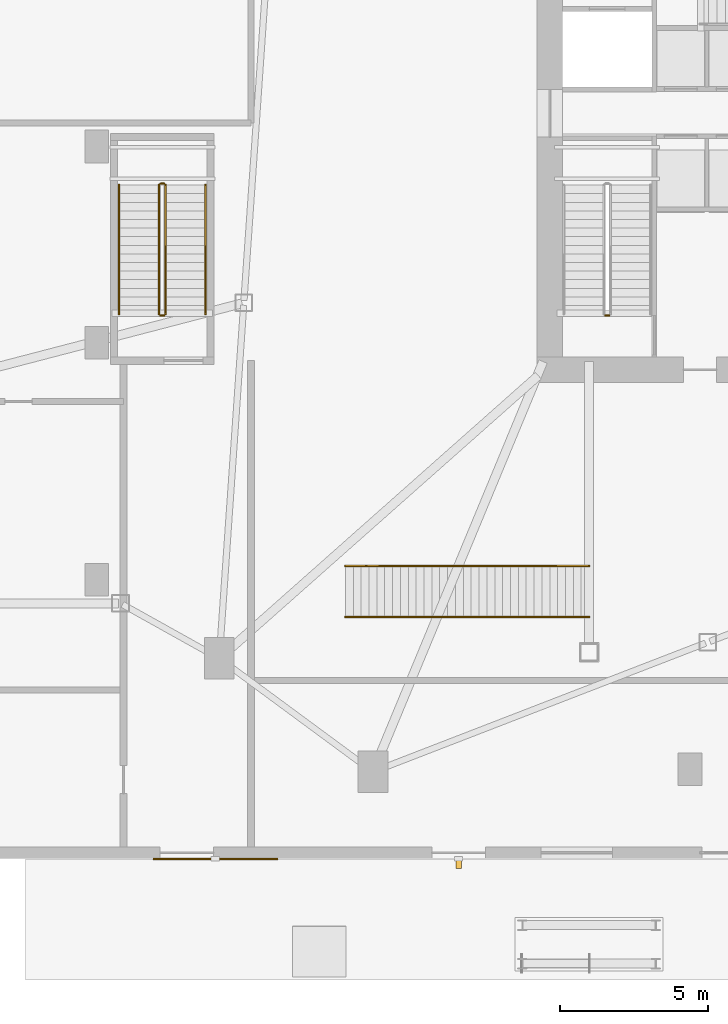
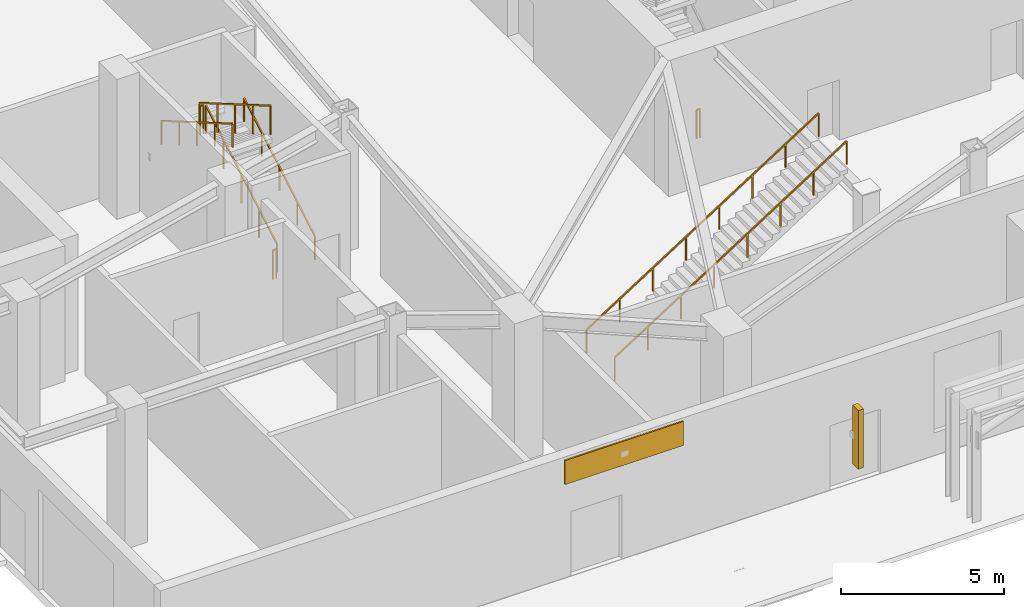
# One storey, part 19 of 22: 9 railings, 1 covering, 1 shading device.
"""IFC4 building model written with IfcOpenShell, lengths in metres."""

from ifc_helpers import new_model, si_unit, direction, frame, origin, origin_2d, place, context, subcontext, project, spatial, rectangle, extrude, source, transform, mapped, material, layer, layer_set, type_object, element, save


model = new_model("IFC4")

# Units and contexts
model_context = context("Model", 3, precision=1e-05, world=origin(), true_north=direction((0.0, 1.0)))
body_context = subcontext(model_context, "Body", "Model", "MODEL_VIEW")
ifc_project = project(units=[si_unit("LENGTHUNIT", "METRE"), si_unit("AREAUNIT", "SQUARE_METRE"), si_unit("VOLUMEUNIT", "CUBIC_METRE"), si_unit("PLANEANGLEUNIT", "RADIAN"), si_unit("MASSUNIT", "GRAM", prefix="KILO")], contexts=[model_context])

# Site, building, storey
site_placement = place(None, origin())
site = spatial("IfcSite", under=ifc_project, at=site_placement, CompositionType="ELEMENT")
building_placement = place(site_placement, origin())
building = spatial("IfcBuilding", under=site, at=building_placement, Name="Olszyna Solenne Hotel", CompositionType="ELEMENT")
storey_placement = place(building_placement, origin())
storey = spatial("IfcBuildingStorey", under=building, at=storey_placement, Name="L00", CompositionType="ELEMENT", Elevation=0.0)

# Railings
ifc_material_1 = material(Name="Anodised bronze aluminium", Category="aluminium")
railing_type_1 = type_object("IfcRailingType", Name="GR-110", PredefinedType="BALUSTRADE", material=ifc_material_1)
railing_1_placement = place(storey_placement, frame((31.669921875, 20.89990234375, 0.0)))
element("IfcRailing", 1, at=railing_1_placement, inside=storey, type_object=railing_type_1, Name="L00 ST1 stair guard 4", PredefinedType="BALUSTRADE", context=body_context, shape_type="SweptSolid", body=[
    extrude(rectangle(XDim=0.048095703125, YDim=0.048095703125, at=origin_2d()), frame((0.0, 0.0, 1.076171875), z_axis=(-1.0, 0.0, 0.0), x_axis=(0.0, -1.0, 0.0)), (0.0, 0.0, 1.0), 0.119873046875),
    extrude(rectangle(XDim=0.0419921875, YDim=0.0419921875, at=origin_2d()), origin(), (0.0, 0.0, 1.0), 1.052001953125),
    extrude(rectangle(XDim=0.0419921875, YDim=0.0419921875, at=origin_2d()), frame((-0.119873046875, 0.0, 0.0)), (0.0, 0.0, 1.0), 1.052001953125),
])
railing_2_placement = place(storey_placement, frame((16.719970703125, 20.949951171875, 0.168701171875)))
element("IfcRailing", 2, at=railing_2_placement, inside=storey, type_object=railing_type_1, Name="L00 ST4 stair guard 1", PredefinedType="BALUSTRADE", context=body_context, shape_type="SweptSolid", body=[
    extrude(rectangle(XDim=0.048095703125, YDim=0.048095703125, at=origin_2d()), frame((0.0, 0.0, 1.076171875), z_axis=(0.0, 0.864323800911, 0.50293574856), x_axis=(-1.0, 0.0, 0.0)), (0.0, 0.0, 1.0), 5.032958984375),
    extrude(rectangle(XDim=0.0419921875, YDim=0.0419921875, at=origin_2d()), origin(), (0.0, 0.0, 1.0), 1.052001953125),
    extrude(rectangle(XDim=0.0419921875, YDim=0.0419921875, at=origin_2d()), frame((0.0, 1.08740234375, 0.6328125)), (0.0, 0.0, 1.0), 1.052001953125),
    extrude(rectangle(XDim=0.0419921875, YDim=0.0419921875, at=origin_2d()), frame((0.0, 2.175048828125, 1.265625)), (0.0, 0.0, 1.0), 1.052001953125),
    extrude(rectangle(XDim=0.0419921875, YDim=0.0419921875, at=origin_2d()), frame((0.0, 3.2626953125, 1.8984375)), (0.0, 0.0, 1.0), 1.052001953125),
    extrude(rectangle(XDim=0.0419921875, YDim=0.0419921875, at=origin_2d()), frame((0.0, 4.35009765625, 2.53125)), (0.0, 0.0, 1.0), 1.052001953125),
])
railing_3_placement = place(storey_placement, frame((16.669921875, 25.35009765625, 2.699951171875)))
element("IfcRailing", 3, at=railing_3_placement, inside=storey, type_object=railing_type_1, Name="L00 ST4 stair guard 2", PredefinedType="BALUSTRADE", context=body_context, shape_type="SweptSolid", body=[
    extrude(rectangle(XDim=0.048095703125, YDim=0.048095703125, at=origin_2d()), frame((0.0, 0.0, 1.076171875), z_axis=(-1.0, 0.0, 0.0), x_axis=(0.0, -1.0, 0.0)), (0.0, 0.0, 1.0), 0.119873046875),
    extrude(rectangle(XDim=0.0419921875, YDim=0.0419921875, at=origin_2d()), origin(), (0.0, 0.0, 1.0), 1.052001953125),
    extrude(rectangle(XDim=0.0419921875, YDim=0.0419921875, at=origin_2d()), frame((-0.119873046875, 0.0, 0.0)), (0.0, 0.0, 1.0), 1.052001953125),
])
railing_4_placement = place(storey_placement, frame((16.5, 25.300048828125, 2.86865234375)))
element("IfcRailing", 4, at=railing_4_placement, inside=storey, type_object=railing_type_1, Name="L00 ST4 stair guard 3", PredefinedType="BALUSTRADE", context=body_context, shape_type="SweptSolid", body=[
    extrude(rectangle(XDim=0.048095703125, YDim=0.048095703125, at=origin_2d()), frame((0.0, 0.0, 1.076171875), z_axis=(0.0, -0.864323800911, 0.50293574856), x_axis=(1.0, 0.0, 0.0)), (0.0, 0.0, 1.0), 5.032958984375),
    extrude(rectangle(XDim=0.0419921875, YDim=0.0419921875, at=origin_2d()), origin(), (0.0, 0.0, 1.0), 1.052001953125),
    extrude(rectangle(XDim=0.0419921875, YDim=0.0419921875, at=origin_2d()), frame((0.0, -1.08740234375, 0.6328125)), (0.0, 0.0, 1.0), 1.052001953125),
    extrude(rectangle(XDim=0.0419921875, YDim=0.0419921875, at=origin_2d()), frame((0.0, -2.175048828125, 1.265625)), (0.0, 0.0, 1.0), 1.052001953125),
    extrude(rectangle(XDim=0.0419921875, YDim=0.0419921875, at=origin_2d()), frame((0.0, -3.2626953125, 1.8984375)), (0.0, 0.0, 1.0), 1.052001953125),
    extrude(rectangle(XDim=0.0419921875, YDim=0.0419921875, at=origin_2d()), frame((0.0, -4.35009765625, 2.53125)), (0.0, 0.0, 1.0), 1.052001953125),
])
railing_5_placement = place(storey_placement, frame((16.669921875, 20.89990234375, 0.0)))
element("IfcRailing", 5, at=railing_5_placement, inside=storey, type_object=railing_type_1, Name="L00 ST4 stair guard 4", PredefinedType="BALUSTRADE", context=body_context, shape_type="SweptSolid", body=[
    extrude(rectangle(XDim=0.048095703125, YDim=0.048095703125, at=origin_2d()), frame((0.0, 0.0, 1.076171875), z_axis=(-1.0, 0.0, 0.0), x_axis=(0.0, -1.0, 0.0)), (0.0, 0.0, 1.0), 0.119873046875),
    extrude(rectangle(XDim=0.0419921875, YDim=0.0419921875, at=origin_2d()), origin(), (0.0, 0.0, 1.0), 1.052001953125),
    extrude(rectangle(XDim=0.0419921875, YDim=0.0419921875, at=origin_2d()), frame((-0.119873046875, 0.0, 0.0)), (0.0, 0.0, 1.0), 1.052001953125),
])
ifc_material_2 = material(Name="Steel S355J2", Category="steel")
railing_type_2 = type_object("IfcRailingType", Name="HR-090", PredefinedType="HANDRAIL", material=ifc_material_2)
railing_6_placement = place(storey_placement, frame((18.070068359375, 20.949951171875, 0.168701171875)))
element("IfcRailing", 6, at=railing_6_placement, inside=storey, type_object=railing_type_2, Name="L00 ST4 stair handrail 1", PredefinedType="HANDRAIL", context=body_context, shape_type="SweptSolid", body=[
    extrude(rectangle(XDim=0.048095703125, YDim=0.048095703125, at=origin_2d()), frame((0.0, 0.0, 0.8759765625), z_axis=(0.0, 0.864323800911, 0.50293574856), x_axis=(-1.0, 0.0, 0.0)), (0.0, 0.0, 1.0), 5.032958984375),
    extrude(rectangle(XDim=0.0419921875, YDim=0.0419921875, at=origin_2d()), origin(), (0.0, 0.0, 1.0), 0.851806640625),
    extrude(rectangle(XDim=0.0419921875, YDim=0.0419921875, at=origin_2d()), frame((0.0, 1.08740234375, 0.6328125)), (0.0, 0.0, 1.0), 0.851806640625),
    extrude(rectangle(XDim=0.0419921875, YDim=0.0419921875, at=origin_2d()), frame((0.0, 2.175048828125, 1.265625)), (0.0, 0.0, 1.0), 0.851806640625),
    extrude(rectangle(XDim=0.0419921875, YDim=0.0419921875, at=origin_2d()), frame((0.0, 3.2626953125, 1.8984375)), (0.0, 0.0, 1.0), 0.851806640625),
    extrude(rectangle(XDim=0.0419921875, YDim=0.0419921875, at=origin_2d()), frame((0.0, 4.35009765625, 2.53125)), (0.0, 0.0, 1.0), 0.851806640625),
])
railing_7_placement = place(storey_placement, frame((15.14990234375, 25.300048828125, 2.86865234375)))
element("IfcRailing", 7, at=railing_7_placement, inside=storey, type_object=railing_type_2, Name="L00 ST4 stair handrail 2", PredefinedType="HANDRAIL", context=body_context, shape_type="SweptSolid", body=[
    extrude(rectangle(XDim=0.048095703125, YDim=0.048095703125, at=origin_2d()), frame((0.0, 0.0, 0.8759765625), z_axis=(0.0, -0.864323800911, 0.50293574856), x_axis=(1.0, 0.0, 0.0)), (0.0, 0.0, 1.0), 5.032958984375),
    extrude(rectangle(XDim=0.0419921875, YDim=0.0419921875, at=origin_2d()), origin(), (0.0, 0.0, 1.0), 0.851806640625),
    extrude(rectangle(XDim=0.0419921875, YDim=0.0419921875, at=origin_2d()), frame((0.0, -1.08740234375, 0.6328125)), (0.0, 0.0, 1.0), 0.851806640625),
    extrude(rectangle(XDim=0.0419921875, YDim=0.0419921875, at=origin_2d()), frame((0.0, -2.175048828125, 1.265625)), (0.0, 0.0, 1.0), 0.851806640625),
    extrude(rectangle(XDim=0.0419921875, YDim=0.0419921875, at=origin_2d()), frame((0.0, -3.2626953125, 1.8984375)), (0.0, 0.0, 1.0), 0.851806640625),
    extrude(rectangle(XDim=0.0419921875, YDim=0.0419921875, at=origin_2d()), frame((0.0, -4.35009765625, 2.53125)), (0.0, 0.0, 1.0), 0.851806640625),
])
for number, where, name in (
    (8, (22.784912109375, 10.739990234375, 0.168701171875), "Feature stair handrail HR-FS-01-S"),
    (9, (22.784912109375, 12.4599609375, 0.168701171875), "Feature stair handrail HR-FS-01-N"),
):
    element("IfcRailing", number, at=place(storey_placement, frame(where)), inside=storey, type_object=railing_type_2, Name=name, PredefinedType="HANDRAIL", context=body_context, shape_type="SweptSolid", body=[
        extrude(rectangle(XDim=0.048095703125, YDim=0.048095703125, at=origin_2d()), frame((0.0, 0.0, 0.8759765625), z_axis=(0.843502492146, 0.0, 0.537125260757), x_axis=(0.0, 1.0, 0.0)), (0.0, 0.0, 1.0), 9.7392578125),
        extrude(rectangle(XDim=0.0419921875, YDim=0.0419921875, at=origin_2d()), origin(), (0.0, 0.0, 1.0), 0.851806640625),
        extrude(rectangle(XDim=0.0419921875, YDim=0.0419921875, at=origin_2d()), frame((1.173583984375, 0.0, 0.747314453125)), (0.0, 0.0, 1.0), 0.851806640625),
        extrude(rectangle(XDim=0.0419921875, YDim=0.0419921875, at=origin_2d()), frame((2.34716796875, 0.0, 1.49462890625)), (0.0, 0.0, 1.0), 0.851806640625),
        extrude(rectangle(XDim=0.0419921875, YDim=0.0419921875, at=origin_2d()), frame((3.520751953125, 0.0, 2.241943359375)), (0.0, 0.0, 1.0), 0.851806640625),
        extrude(rectangle(XDim=0.0419921875, YDim=0.0419921875, at=origin_2d()), frame((4.6943359375, 0.0, 2.9892578125)), (0.0, 0.0, 1.0), 0.851806640625),
        extrude(rectangle(XDim=0.0419921875, YDim=0.0419921875, at=origin_2d()), frame((5.867919921875, 0.0, 3.736572265625)), (0.0, 0.0, 1.0), 0.851806640625),
        extrude(rectangle(XDim=0.0419921875, YDim=0.0419921875, at=origin_2d()), frame((7.04150390625, 0.0, 4.48388671875)), (0.0, 0.0, 1.0), 0.851806640625),
        extrude(rectangle(XDim=0.0419921875, YDim=0.0419921875, at=origin_2d()), frame((8.215087890625, 0.0, 5.231201171875)), (0.0, 0.0, 1.0), 0.851806640625),
    ])

# Covering
ifc_material_3 = material(Name="Terracotta cladding", Category="masonry")
ifc_layer = layer(ifc_material_3, 0.054931640625, Name="Terracotta cladding")
ifc_layer_set = layer_set([ifc_layer], Name="Terracotta cladding")
covering_type = type_object("IfcCoveringType", Name="CD-TC1", PredefinedType="CLADDING", material=ifc_layer_set)
shared_shape_1 = source(origin(), body_context, "Body", "SweptSolid", [
    extrude(rectangle(XDim=4.199951171875, YDim=0.054931640625, at=origin_2d()), origin(), (0.0, 0.0, 1.0), 0.89990234375),
])
covering_placement = place(storey_placement, frame((18.39990234375, 2.577392578125, 3.52197265625), z_axis=(0.0, 0.0, 1.0), x_axis=(-1.0, 0.0, 0.0)))
element("IfcCovering", 10, at=covering_placement, inside=storey, type_object=covering_type, Name="Fluted terracotta rainscreen band CD-L00-SW", PredefinedType="CLADDING", context=body_context, shape_type="MappedRepresentation", body=[
    mapped(shared_shape_1, transform((0.0, 0.0, 0.0), x_axis=(1.0, 0.0, 0.0), y_axis=(0.0, 1.0, 0.0), z_axis=(0.0, 0.0, 1.0), scale=1.0)),
])

# Shading device
shading_device_type = type_object("IfcShadingDeviceType", Name="SH-FN1", PredefinedType="USERDEFINED", material=ifc_material_3)
shared_shape_2 = source(origin(), body_context, "Body", "SweptSolid", [
    extrude(rectangle(XDim=0.179931640625, YDim=0.35009765625, at=origin_2d()), origin(), (0.0, 0.0, 1.0), 2.199951171875),
])
shading_device_placement = place(storey_placement, frame((26.60009765625, 2.429931640625, 0.7001953125), z_axis=(0.0, 0.0, 1.0), x_axis=(-1.0, 0.0, 0.0)))
element("IfcShadingDevice", 11, at=shading_device_placement, inside=storey, type_object=shading_device_type, Name="Vertical terracotta facade fin FN-L00-SW", ObjectType="FIN", PredefinedType="USERDEFINED", context=body_context, shape_type="MappedRepresentation", body=[
    mapped(shared_shape_2, transform((0.0, 0.0, 0.0), x_axis=(1.0, 0.0, 0.0), y_axis=(0.0, 1.0, 0.0), z_axis=(0.0, 0.0, 1.0), scale=1.0)),
])

save(model, "model.ifc")
